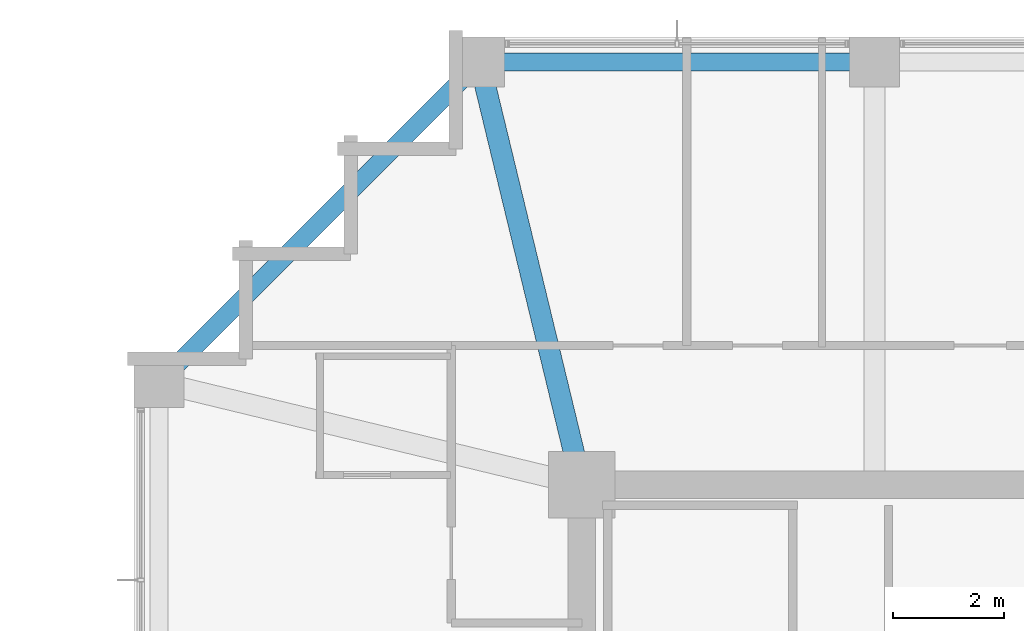
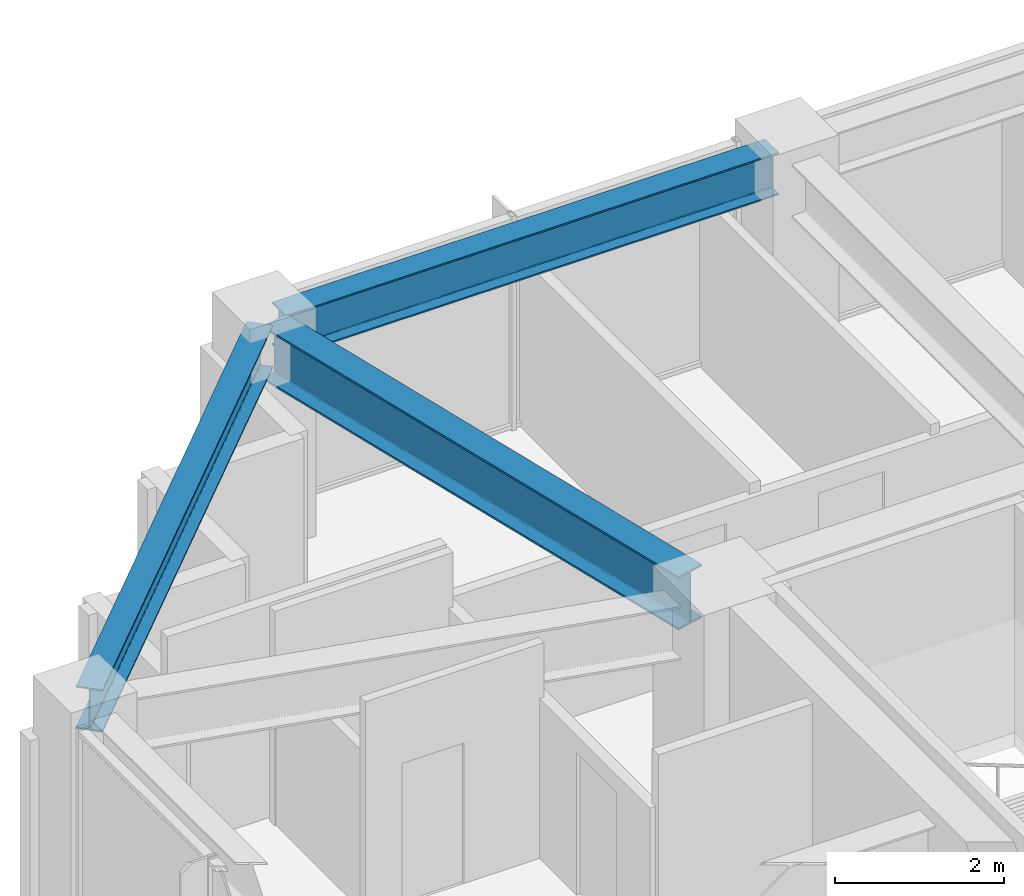
# One storey, part 17 of 32: 3 beams.
"""IFC4 building model written with IfcOpenShell, lengths in metres."""

from ifc_helpers import new_model, si_unit, direction, frame, origin, origin_2d, place, context, subcontext, project, spatial, i_section, extrude, material, material_profile, profile_set, type_object, element, save


model = new_model("IFC4")

# Units and contexts
model_context = context("Model", 3, precision=1e-05, world=origin(), true_north=direction((0.0, 1.0)))
body_context = subcontext(model_context, "Body", "Model", "MODEL_VIEW")
ifc_project = project(units=[si_unit("LENGTHUNIT", "METRE"), si_unit("AREAUNIT", "SQUARE_METRE"), si_unit("VOLUMEUNIT", "CUBIC_METRE"), si_unit("PLANEANGLEUNIT", "RADIAN"), si_unit("MASSUNIT", "GRAM", prefix="KILO")], contexts=[model_context])

# Site, building, storey
site_placement = place(None, origin())
site = spatial("IfcSite", under=ifc_project, at=site_placement, CompositionType="ELEMENT")
building_placement = place(site_placement, origin())
building = spatial("IfcBuilding", under=site, at=building_placement, Name="Kolvaren Belvedere", CompositionType="ELEMENT")
storey_placement = place(building_placement, frame((0.0, 0.0, 141.5)))
storey = spatial("IfcBuildingStorey", under=building, at=storey_placement, Name="L41", CompositionType="ELEMENT", Elevation=141.5)

# Beams
ifc_material_1 = material(Name="Structural steel ASTM A992 Grade 50", Category="steel")
ifc_material_profile_1 = material_profile(ifc_material_1, i_section(OverallWidth=0.381103515625, OverallDepth=0.77294921875, WebThickness=0.0166015625, FlangeThickness=0.027099609375, FilletRadius=0.02392578125, at=origin_2d()), Name="W30X173")
ifc_profile_set_1 = profile_set([ifc_material_profile_1], Name="Structural steel ASTM A992 Grade 50")
beam_type_1 = type_object("IfcBeamType", Name="BM-GIRD-W30X173", PredefinedType="BEAM", material=ifc_profile_set_1)
beam_1_placement = place(storey_placement, frame((-10.029296875, 10.4345703125, 2.71337890625), z_axis=(-0.235062749937, 0.971980197119, 0.0), x_axis=(-0.971980197119, -0.235062749937, 0.0)))
element("IfcBeam", 1, at=beam_1_placement, inside=storey, type_object=beam_type_1, Name="L41 Corner Core-to-Perimeter Girder CC4-N1", PredefinedType="BEAM", context=body_context, shape_type="SweptSolid", body=[
    extrude(i_section(OverallWidth=0.381103515625, OverallDepth=0.77294921875, WebThickness=0.0166015625, FlangeThickness=0.027099609375, FilletRadius=0.02392578125, at=origin_2d()), origin(), (0.0, 0.0, 1.0), 7.140625),
])
ifc_material_2 = material(Name="Structural steel ASTM A992 Grade 50", Category="steel")
ifc_material_profile_2 = material_profile(ifc_material_2, i_section(OverallWidth=0.324951171875, OverallDepth=0.615966796875, WebThickness=0.013916015625, FlangeThickness=0.021484375, FilletRadius=0.02001953125, at=origin_2d()), Name="W24X117")
ifc_profile_set_2 = profile_set([ifc_material_profile_2], Name="Structural steel ASTM A992 Grade 50")
beam_type_2 = type_object("IfcBeamType", Name="BM-SPAN-W24X117", PredefinedType="SPANDREL", material=ifc_profile_set_2)
beam_2_placement = place(storey_placement, frame((-4.802490234375, 17.550048828125, 2.7919921875), z_axis=(-1.0, 0.0, 0.0), x_axis=(0.0, -1.0, 0.0)))
element("IfcBeam", 2, at=beam_2_placement, inside=storey, type_object=beam_type_2, Name="L41 Perimeter Spandrel N2-N1", PredefinedType="SPANDREL", context=body_context, shape_type="SweptSolid", body=[
    extrude(i_section(OverallWidth=0.324951171875, OverallDepth=0.615966796875, WebThickness=0.013916015625, FlangeThickness=0.021484375, FilletRadius=0.02001953125, at=origin_2d()), origin(), (0.0, 0.0, 1.0), 6.7451171875),
])
beam_3_placement = place(storey_placement, frame((-11.893310546875, 17.40673828125, 2.7919921875), z_axis=(-0.707106781187, -0.707106781187, 0.0), x_axis=(0.707106781187, -0.707106781187, 0.0)))
element("IfcBeam", 3, at=beam_3_placement, inside=storey, type_object=beam_type_2, Name="L41 Perimeter Spandrel N1-W4", PredefinedType="SPANDREL", context=body_context, shape_type="SweptSolid", body=[
    extrude(i_section(OverallWidth=0.324951171875, OverallDepth=0.615966796875, WebThickness=0.013916015625, FlangeThickness=0.021484375, FilletRadius=0.02001953125, at=origin_2d()), origin(), (0.0, 0.0, 1.0), 7.797119140625),
])

save(model, "model.ifc")
